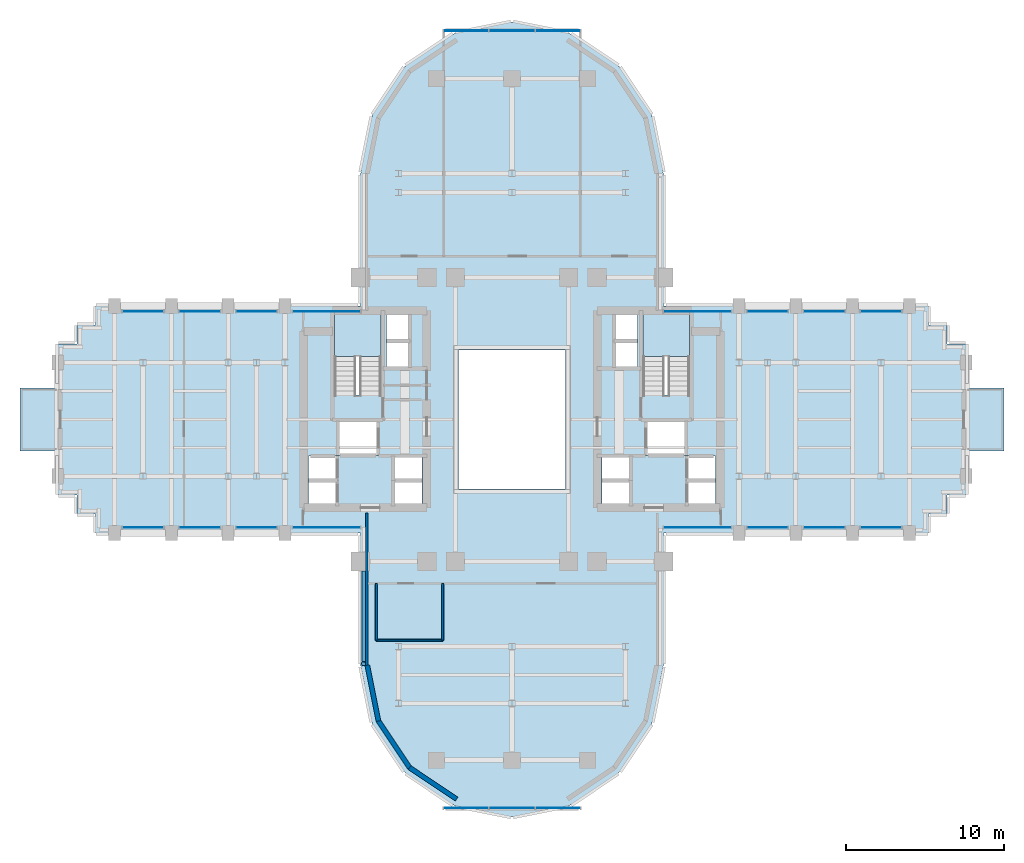
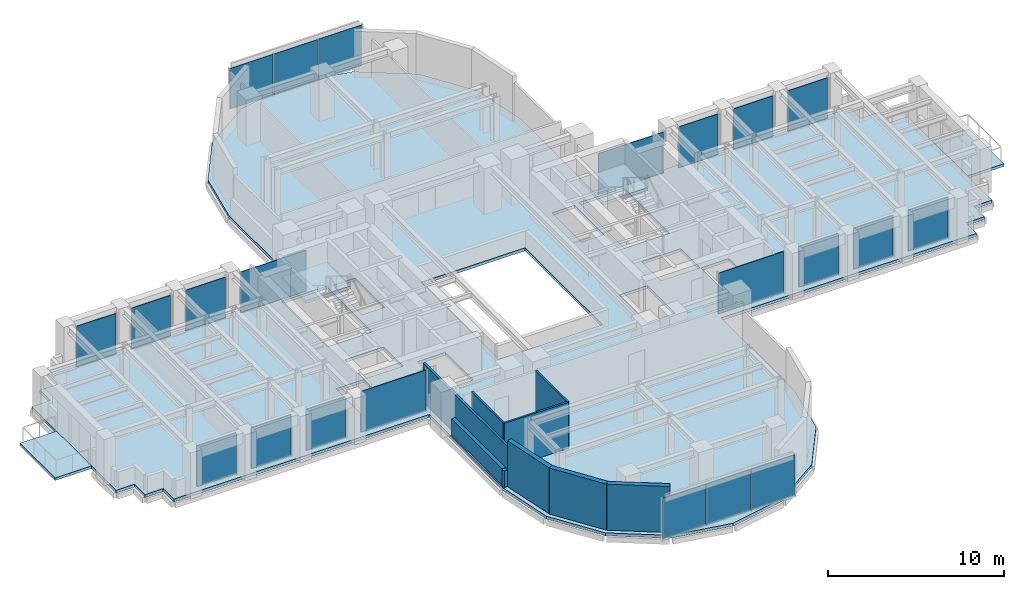
# One storey, part 9 of 15: 22 plates, 9 walls, 5 slabs, 20 elements without a shape of their own.
"""IFC4 building model written with IfcOpenShell, lengths in metres."""

from ifc_helpers import new_model, si_unit, direction, frame, frame_2d, origin, origin_2d, place, context, subcontext, project, spatial, polyline, rectangle, outline, extrude, source, transform, mapped, material, layer, layer_set, type_object, element, aggregate, save


model = new_model("IFC4")

# Units and contexts
model_context = context("Model", 3, precision=1e-05, world=origin(), true_north=direction((0.0, 1.0)))
body_context = subcontext(model_context, "Body", "Model", "MODEL_VIEW")
ifc_project = project(units=[si_unit("LENGTHUNIT", "METRE"), si_unit("AREAUNIT", "SQUARE_METRE"), si_unit("VOLUMEUNIT", "CUBIC_METRE"), si_unit("PLANEANGLEUNIT", "RADIAN"), si_unit("MASSUNIT", "GRAM", prefix="KILO")], contexts=[model_context])

# Site, building, storey
site_placement = place(None, origin())
site = spatial("IfcSite", under=ifc_project, at=site_placement, CompositionType="ELEMENT")
building_placement = place(site_placement, origin())
building = spatial("IfcBuilding", under=site, at=building_placement, Name="Keilestroom Media Tower", CompositionType="ELEMENT")
storey_placement = place(building_placement, frame((0.0, 0.0, 47.60009765625)))
storey = spatial("IfcBuildingStorey", under=building, at=storey_placement, Name="L11", CompositionType="ELEMENT", Elevation=47.60009765625)

# Slabs
ifc_material_1 = material(Name="Concrete C50/60", Category="concrete")
ifc_layer_1 = layer(ifc_material_1, 0.199951171875)
ifc_layer_set_1 = layer_set([ifc_layer_1], Name="Concrete C50/60")
slab_type_1 = type_object("IfcSlabType", Name="Composite-Floor-Slab-200", PredefinedType="FLOOR", material=ifc_layer_set_1)
slab_1_placement = place(storey_placement, frame((0.0, 0.0, -0.2001953125)))
element("IfcSlab", 1, at=slab_1_placement, inside=storey, type_object=slab_type_1, Name="L11 Structural Composite Floor Slab", PredefinedType="FLOOR", context=body_context, shape_type="SweptSolid", body=[
    extrude(outline(polyline([(28.800048828125, -4.800048828125), (28.800048828125, 4.800048828125), (27.60009765625, 4.800048828125), (27.60009765625, 6.0), (26.39990234375, 6.0), (26.39990234375, 7.199951171875), (9.60009765625, 7.199951171875), (9.60009765625, 9.60009765625), (9.60009765625, 15.60009765625), (8.869140625, 19.273681640625), (6.7880859375, 22.38818359375), (3.673828125, 24.46923828125), (0.0, 25.199951171875), (-3.673828125, 24.46923828125), (-6.7880859375, 22.38818359375), (-8.869140625, 19.273681640625), (-9.60009765625, 15.60009765625), (-9.60009765625, 9.60009765625), (-9.60009765625, 7.199951171875), (-26.39990234375, 7.199951171875), (-26.39990234375, 6.0), (-27.60009765625, 6.0), (-27.60009765625, 4.800048828125), (-28.800048828125, 4.800048828125), (-28.800048828125, -4.800048828125), (-27.60009765625, -4.800048828125), (-27.60009765625, -6.0), (-26.39990234375, -6.0), (-26.39990234375, -7.199951171875), (-9.60009765625, -7.199951171875), (-9.60009765625, -9.60009765625), (-9.60009765625, -15.60009765625), (-8.869140625, -19.273681640625), (-6.7880859375, -22.38818359375), (-3.673828125, -24.46923828125), (0.0, -25.199951171875), (3.673828125, -24.46923828125), (6.7880859375, -22.38818359375), (8.869140625, -19.273681640625), (9.60009765625, -15.60009765625), (9.60009765625, -9.60009765625), (9.60009765625, -7.199951171875), (26.39990234375, -7.199951171875), (26.39990234375, -6.0), (27.60009765625, -6.0), (27.60009765625, -4.800048828125), (28.800048828125, -4.800048828125)]), holes=[polyline([(-12.919921875, -5.47998046875), (-12.919921875, -2.320068359375), (-11.080078125, -2.320068359375), (-11.080078125, -5.47998046875), (-12.919921875, -5.47998046875)]), polyline([(-11.260009765625, 1.544921875), (-11.260009765625, 6.760009765625), (-8.300048828125, 6.760009765625), (-8.300048828125, 1.544921875), (-11.260009765625, 1.544921875)]), polyline([(-11.050048828125, -2.280029296875), (-11.050048828125, -0.10009765625), (-8.47998046875, -0.10009765625), (-8.47998046875, -2.280029296875), (-11.050048828125, -2.280029296875)]), polyline([(-7.949951171875, 3.300048828125), (-7.949951171875, 6.64990234375), (-6.47998046875, 6.64990234375), (-6.47998046875, 3.300048828125), (-7.949951171875, 3.300048828125)]), polyline([(-7.56005859375, -5.47998046875), (-7.56005859375, -2.320068359375), (-5.719970703125, -2.320068359375), (-5.719970703125, -5.47998046875), (-7.56005859375, -5.47998046875)]), polyline([(-3.39990234375, -4.39990234375), (-3.39990234375, 4.39990234375), (3.39990234375, 4.39990234375), (3.39990234375, -4.39990234375), (-3.39990234375, -4.39990234375)]), polyline([(5.719970703125, -5.47998046875), (5.719970703125, -2.320068359375), (7.56005859375, -2.320068359375), (7.56005859375, -5.47998046875), (5.719970703125, -5.47998046875)]), polyline([(7.949951171875, 6.64990234375), (7.949951171875, 3.300048828125), (6.47998046875, 3.300048828125), (6.47998046875, 6.64990234375), (7.949951171875, 6.64990234375)]), polyline([(8.300048828125, 6.760009765625), (11.260009765625, 6.760009765625), (11.260009765625, 1.544921875), (8.300048828125, 1.544921875), (8.300048828125, 6.760009765625)]), polyline([(8.47998046875, -2.280029296875), (8.47998046875, -0.10009765625), (11.050048828125, -0.10009765625), (11.050048828125, -2.280029296875), (8.47998046875, -2.280029296875)]), polyline([(12.919921875, -5.47998046875), (11.080078125, -5.47998046875), (11.080078125, -2.320068359375), (12.919921875, -2.320068359375), (12.919921875, -5.47998046875)])]), origin(), (0.0, 0.0, 1.0), 0.2001953125),
])
ifc_material_2 = material(Name="Concrete C45/55", Category="concrete")
ifc_layer_2 = layer(ifc_material_2, 0.179931640625)
ifc_layer_set_2 = layer_set([ifc_layer_2], Name="Concrete C45/55")
slab_type_2 = type_object("IfcSlabType", Name="Exterior-Terrace-And-Sky-Garden-Slab-180", PredefinedType="FLOOR", material=ifc_layer_set_2)
slab_2_placement = place(storey_placement, frame((0.0, 0.0, -0.18017578125)))
element("IfcSlab", 2, at=slab_2_placement, inside=storey, type_object=slab_type_2, Name="L11 Winter-Garden Balcony Slab L11-BAL-W", PredefinedType="FLOOR", context=body_context, shape_type="SweptSolid", body=[
    extrude(outline(polyline([(-31.199951171875, -2.0), (-28.800048828125, -2.0), (-28.800048828125, 2.0), (-31.199951171875, 2.0), (-31.199951171875, -2.0)])), origin(), (0.0, 0.0, 1.0), 0.18017578125),
])
slab_3_placement = place(storey_placement, frame((0.0, 0.0, -0.18017578125)))
element("IfcSlab", 3, at=slab_3_placement, inside=storey, type_object=slab_type_2, Name="L11 Winter-Garden Balcony Slab L11-BAL-E", PredefinedType="FLOOR", context=body_context, shape_type="SweptSolid", body=[
    extrude(outline(polyline([(28.800048828125, -2.0), (31.199951171875, -2.0), (31.199951171875, 2.0), (28.800048828125, 2.0), (28.800048828125, -2.0)])), origin(), (0.0, 0.0, 1.0), 0.18017578125),
])

# Stair, slab
stair_type = type_object("IfcStairType", Name="Enclosed-Dog-Leg-Stair-ST-CORE", PredefinedType="HALF_TURN_STAIR", material=ifc_material_2)
stair_1_placement = place(storey_placement, origin())
stair_1 = element("IfcStair", 4, at=stair_1_placement, inside=storey, type_object=stair_type, Name="L11 West Core Escape Stair ST-1", PredefinedType="HALF_TURN_STAIR")
ifc_layer_3 = layer(ifc_material_2, 0.199951171875)
ifc_layer_set_3 = layer_set([ifc_layer_3], Name="Concrete C45/55")
slab_type_3 = type_object("IfcSlabType", Name="Stair-Intermediate-And-Top-Landing-Slab-200", PredefinedType="LANDING", material=ifc_layer_set_3)
slab_4_placement = place(storey_placement, frame((0.0, 0.0, 1.5)))
slab_4 = element("IfcSlab", 5, at=slab_4_placement, type_object=slab_type_3, Name="ST-1 landing 1", PredefinedType="LANDING", context=body_context, shape_type="SweptSolid", body=[
    extrude(outline(polyline([(-8.300048828125, 3.99609375), (-8.300048828125, 6.760009765625), (-11.260009765625, 6.760009765625), (-11.260009765625, 3.99609375), (-8.300048828125, 3.99609375)])), origin(), (0.0, 0.0, 1.0), 0.199951171875),
])
aggregate(stair_1, [slab_4])

stair_2_placement = place(storey_placement, origin())
stair_2 = element("IfcStair", 6, at=stair_2_placement, inside=storey, type_object=stair_type, Name="L11 East Core Escape Stair ST-2", PredefinedType="HALF_TURN_STAIR")
slab_5_placement = place(storey_placement, frame((0.0, 0.0, 1.5)))
slab_5 = element("IfcSlab", 7, at=slab_5_placement, type_object=slab_type_3, Name="ST-2 landing 1", PredefinedType="LANDING", context=body_context, shape_type="SweptSolid", body=[
    extrude(outline(polyline([(11.260009765625, 3.99609375), (11.260009765625, 6.760009765625), (8.300048828125, 6.760009765625), (8.300048828125, 3.99609375), (11.260009765625, 3.99609375)])), origin(), (0.0, 0.0, 1.0), 0.199951171875),
])
aggregate(stair_2, [slab_5])

# Curtain wall, plate
ifc_material_3 = material(Name="Anodised Aluminium Alloy", Category="aluminium")
curtain_wall_type_1 = type_object("IfcCurtainWallType", Name="Unitised-Curtain-Wall-CW-1", PredefinedType="NOTDEFINED", material=ifc_material_3)
curtain_wall_1_placement = place(storey_placement, origin())
curtain_wall_1 = element("IfcCurtainWall", 8, at=curtain_wall_1_placement, inside=storey, type_object=curtain_wall_type_1, Name="L11 Curtain Wall CW-1 CW-L11-NW-1", PredefinedType="NOTDEFINED")
ifc_material_4 = material(Name="Double Glazed Low-E Unit", Category="glass")
ifc_layer_4 = layer(ifc_material_4, 0.0439453125)
ifc_layer_set_4 = layer_set([ifc_layer_4], Name="Double Glazed Low-E Unit")
plate_type_1 = type_object("IfcPlateType", Name="Insulated-Curtain-Wall-Glazing-Panel-CW-1", PredefinedType="CURTAIN_PANEL", material=ifc_layer_set_4)
shared_shape_1 = source(origin(), body_context, "Body", "SweptSolid", [
    extrude(rectangle(XDim=2.597900390625, YDim=0.0439453125, at=origin_2d()), origin(), (0.0, 0.0, 1.0), 2.833984375),
])
plate_1_placement = place(storey_placement, frame((-23.39990234375, 6.85009765625, 0.072998046875), z_axis=(0.0, 0.0, 1.0), x_axis=(1.0, 0.0, 0.0)))
plate_1 = element("IfcPlate", 9, at=plate_1_placement, type_object=plate_type_1, Name="CW-1 Unitised Glazing 00", PredefinedType="CURTAIN_PANEL", context=body_context, shape_type="MappedRepresentation", body=[
    mapped(shared_shape_1, transform((0.0, 0.0, 0.0), x_axis=(1.0, 0.0, 0.0), y_axis=(0.0, 1.0, 0.0), z_axis=(0.0, 0.0, 1.0), scale=1.0)),
])
aggregate(curtain_wall_1, [plate_1])

curtain_wall_2_placement = place(storey_placement, origin())
curtain_wall_2 = element("IfcCurtainWall", 10, at=curtain_wall_2_placement, inside=storey, type_object=curtain_wall_type_1, Name="L11 Curtain Wall CW-1 CW-L11-NW-2", PredefinedType="NOTDEFINED")
plate_2_placement = place(storey_placement, frame((-19.800048828125, 6.85009765625, 0.072998046875), z_axis=(0.0, 0.0, 1.0), x_axis=(1.0, 0.0, 0.0)))
plate_2 = element("IfcPlate", 11, at=plate_2_placement, type_object=plate_type_1, Name="CW-1 Unitised Glazing 00", PredefinedType="CURTAIN_PANEL", context=body_context, shape_type="MappedRepresentation", body=[
    mapped(shared_shape_1, transform((0.0, 0.0, 0.0), x_axis=(1.0, 0.0, 0.0), y_axis=(0.0, 1.0, 0.0), z_axis=(0.0, 0.0, 1.0), scale=1.0)),
])
aggregate(curtain_wall_2, [plate_2])

curtain_wall_3_placement = place(storey_placement, origin())
curtain_wall_3 = element("IfcCurtainWall", 12, at=curtain_wall_3_placement, inside=storey, type_object=curtain_wall_type_1, Name="L11 Curtain Wall CW-1 CW-L11-NW-3", PredefinedType="NOTDEFINED")
plate_3_placement = place(storey_placement, frame((-16.199951171875, 6.85009765625, 0.072998046875), z_axis=(0.0, 0.0, 1.0), x_axis=(1.0, 0.0, 0.0)))
plate_3 = element("IfcPlate", 13, at=plate_3_placement, type_object=plate_type_1, Name="CW-1 Unitised Glazing 00", PredefinedType="CURTAIN_PANEL", context=body_context, shape_type="MappedRepresentation", body=[
    mapped(shared_shape_1, transform((0.0, 0.0, 0.0), x_axis=(1.0, 0.0, 0.0), y_axis=(0.0, 1.0, 0.0), z_axis=(0.0, 0.0, 1.0), scale=1.0)),
])
aggregate(curtain_wall_3, [plate_3])

curtain_wall_4_placement = place(storey_placement, origin())
curtain_wall_4 = element("IfcCurtainWall", 14, at=curtain_wall_4_placement, inside=storey, type_object=curtain_wall_type_1, Name="L11 Curtain Wall CW-1 CW-L11-NE-2", PredefinedType="NOTDEFINED")
plate_4_placement = place(storey_placement, frame((16.199951171875, 6.85009765625, 0.072998046875), z_axis=(0.0, 0.0, 1.0), x_axis=(1.0, 0.0, 0.0)))
plate_4 = element("IfcPlate", 15, at=plate_4_placement, type_object=plate_type_1, Name="CW-1 Unitised Glazing 00", PredefinedType="CURTAIN_PANEL", context=body_context, shape_type="MappedRepresentation", body=[
    mapped(shared_shape_1, transform((0.0, 0.0, 0.0), x_axis=(1.0, 0.0, 0.0), y_axis=(0.0, 1.0, 0.0), z_axis=(0.0, 0.0, 1.0), scale=1.0)),
])
aggregate(curtain_wall_4, [plate_4])

curtain_wall_5_placement = place(storey_placement, origin())
curtain_wall_5 = element("IfcCurtainWall", 16, at=curtain_wall_5_placement, inside=storey, type_object=curtain_wall_type_1, Name="L11 Curtain Wall CW-1 CW-L11-NE-3", PredefinedType="NOTDEFINED")
plate_5_placement = place(storey_placement, frame((19.800048828125, 6.85009765625, 0.072998046875), z_axis=(0.0, 0.0, 1.0), x_axis=(1.0, 0.0, 0.0)))
plate_5 = element("IfcPlate", 17, at=plate_5_placement, type_object=plate_type_1, Name="CW-1 Unitised Glazing 00", PredefinedType="CURTAIN_PANEL", context=body_context, shape_type="MappedRepresentation", body=[
    mapped(shared_shape_1, transform((0.0, 0.0, 0.0), x_axis=(1.0, 0.0, 0.0), y_axis=(0.0, 1.0, 0.0), z_axis=(0.0, 0.0, 1.0), scale=1.0)),
])
aggregate(curtain_wall_5, [plate_5])

curtain_wall_6_placement = place(storey_placement, origin())
curtain_wall_6 = element("IfcCurtainWall", 18, at=curtain_wall_6_placement, inside=storey, type_object=curtain_wall_type_1, Name="L11 Curtain Wall CW-1 CW-L11-NE-4", PredefinedType="NOTDEFINED")
plate_6_placement = place(storey_placement, frame((23.39990234375, 6.85009765625, 0.072998046875), z_axis=(0.0, 0.0, 1.0), x_axis=(1.0, 0.0, 0.0)))
plate_6 = element("IfcPlate", 19, at=plate_6_placement, type_object=plate_type_1, Name="CW-1 Unitised Glazing 00", PredefinedType="CURTAIN_PANEL", context=body_context, shape_type="MappedRepresentation", body=[
    mapped(shared_shape_1, transform((0.0, 0.0, 0.0), x_axis=(1.0, 0.0, 0.0), y_axis=(0.0, 1.0, 0.0), z_axis=(0.0, 0.0, 1.0), scale=1.0)),
])
aggregate(curtain_wall_6, [plate_6])

curtain_wall_7_placement = place(storey_placement, origin())
curtain_wall_7 = element("IfcCurtainWall", 20, at=curtain_wall_7_placement, inside=storey, type_object=curtain_wall_type_1, Name="L11 Curtain Wall CW-1 CW-L11-SW-1", PredefinedType="NOTDEFINED")
plate_7_placement = place(storey_placement, frame((-23.39990234375, -6.85009765625, 0.072998046875), z_axis=(0.0, 0.0, 1.0), x_axis=(1.0, 0.0, 0.0)))
plate_7 = element("IfcPlate", 21, at=plate_7_placement, type_object=plate_type_1, Name="CW-1 Unitised Glazing 00", PredefinedType="CURTAIN_PANEL", context=body_context, shape_type="MappedRepresentation", body=[
    mapped(shared_shape_1, transform((0.0, 0.0, 0.0), x_axis=(1.0, 0.0, 0.0), y_axis=(0.0, 1.0, 0.0), z_axis=(0.0, 0.0, 1.0), scale=1.0)),
])
aggregate(curtain_wall_7, [plate_7])

curtain_wall_8_placement = place(storey_placement, origin())
curtain_wall_8 = element("IfcCurtainWall", 22, at=curtain_wall_8_placement, inside=storey, type_object=curtain_wall_type_1, Name="L11 Curtain Wall CW-1 CW-L11-SW-2", PredefinedType="NOTDEFINED")
plate_8_placement = place(storey_placement, frame((-19.800048828125, -6.85009765625, 0.072998046875), z_axis=(0.0, 0.0, 1.0), x_axis=(1.0, 0.0, 0.0)))
plate_8 = element("IfcPlate", 23, at=plate_8_placement, type_object=plate_type_1, Name="CW-1 Unitised Glazing 00", PredefinedType="CURTAIN_PANEL", context=body_context, shape_type="MappedRepresentation", body=[
    mapped(shared_shape_1, transform((0.0, 0.0, 0.0), x_axis=(1.0, 0.0, 0.0), y_axis=(0.0, 1.0, 0.0), z_axis=(0.0, 0.0, 1.0), scale=1.0)),
])
aggregate(curtain_wall_8, [plate_8])

curtain_wall_9_placement = place(storey_placement, origin())
curtain_wall_9 = element("IfcCurtainWall", 24, at=curtain_wall_9_placement, inside=storey, type_object=curtain_wall_type_1, Name="L11 Curtain Wall CW-1 CW-L11-SW-3", PredefinedType="NOTDEFINED")
plate_9_placement = place(storey_placement, frame((-16.199951171875, -6.85009765625, 0.072998046875), z_axis=(0.0, 0.0, 1.0), x_axis=(1.0, 0.0, 0.0)))
plate_9 = element("IfcPlate", 25, at=plate_9_placement, type_object=plate_type_1, Name="CW-1 Unitised Glazing 00", PredefinedType="CURTAIN_PANEL", context=body_context, shape_type="MappedRepresentation", body=[
    mapped(shared_shape_1, transform((0.0, 0.0, 0.0), x_axis=(1.0, 0.0, 0.0), y_axis=(0.0, 1.0, 0.0), z_axis=(0.0, 0.0, 1.0), scale=1.0)),
])
aggregate(curtain_wall_9, [plate_9])

curtain_wall_10_placement = place(storey_placement, origin())
curtain_wall_10 = element("IfcCurtainWall", 26, at=curtain_wall_10_placement, inside=storey, type_object=curtain_wall_type_1, Name="L11 Curtain Wall CW-1 CW-L11-SE-2", PredefinedType="NOTDEFINED")
plate_10_placement = place(storey_placement, frame((16.199951171875, -6.85009765625, 0.072998046875), z_axis=(0.0, 0.0, 1.0), x_axis=(1.0, 0.0, 0.0)))
plate_10 = element("IfcPlate", 27, at=plate_10_placement, type_object=plate_type_1, Name="CW-1 Unitised Glazing 00", PredefinedType="CURTAIN_PANEL", context=body_context, shape_type="MappedRepresentation", body=[
    mapped(shared_shape_1, transform((0.0, 0.0, 0.0), x_axis=(1.0, 0.0, 0.0), y_axis=(0.0, 1.0, 0.0), z_axis=(0.0, 0.0, 1.0), scale=1.0)),
])
aggregate(curtain_wall_10, [plate_10])

curtain_wall_11_placement = place(storey_placement, origin())
curtain_wall_11 = element("IfcCurtainWall", 28, at=curtain_wall_11_placement, inside=storey, type_object=curtain_wall_type_1, Name="L11 Curtain Wall CW-1 CW-L11-SE-3", PredefinedType="NOTDEFINED")
plate_11_placement = place(storey_placement, frame((19.800048828125, -6.85009765625, 0.072998046875), z_axis=(0.0, 0.0, 1.0), x_axis=(1.0, 0.0, 0.0)))
plate_11 = element("IfcPlate", 29, at=plate_11_placement, type_object=plate_type_1, Name="CW-1 Unitised Glazing 00", PredefinedType="CURTAIN_PANEL", context=body_context, shape_type="MappedRepresentation", body=[
    mapped(shared_shape_1, transform((0.0, 0.0, 0.0), x_axis=(1.0, 0.0, 0.0), y_axis=(0.0, 1.0, 0.0), z_axis=(0.0, 0.0, 1.0), scale=1.0)),
])
aggregate(curtain_wall_11, [plate_11])

curtain_wall_12_placement = place(storey_placement, origin())
curtain_wall_12 = element("IfcCurtainWall", 30, at=curtain_wall_12_placement, inside=storey, type_object=curtain_wall_type_1, Name="L11 Curtain Wall CW-1 CW-L11-SE-4", PredefinedType="NOTDEFINED")
plate_12_placement = place(storey_placement, frame((23.39990234375, -6.85009765625, 0.072998046875), z_axis=(0.0, 0.0, 1.0), x_axis=(1.0, 0.0, 0.0)))
plate_12 = element("IfcPlate", 31, at=plate_12_placement, type_object=plate_type_1, Name="CW-1 Unitised Glazing 00", PredefinedType="CURTAIN_PANEL", context=body_context, shape_type="MappedRepresentation", body=[
    mapped(shared_shape_1, transform((0.0, 0.0, 0.0), x_axis=(1.0, 0.0, 0.0), y_axis=(0.0, 1.0, 0.0), z_axis=(0.0, 0.0, 1.0), scale=1.0)),
])
aggregate(curtain_wall_12, [plate_12])

curtain_wall_13_placement = place(storey_placement, origin())
curtain_wall_13 = element("IfcCurtainWall", 32, at=curtain_wall_13_placement, inside=storey, type_object=curtain_wall_type_1, Name="L11 Curtain Wall CW-1 CW-L11-NW-4", PredefinedType="NOTDEFINED")
shared_shape_2 = source(origin(), body_context, "Body", "SweptSolid", [
    extrude(rectangle(XDim=4.282958984375, YDim=0.0439453125, at=origin_2d()), origin(), (0.0, 0.0, 1.0), 2.833984375),
])
plate_13_placement = place(storey_placement, frame((-11.757568359375, 6.85009765625, 0.072998046875), z_axis=(0.0, 0.0, 1.0), x_axis=(1.0, 0.0, 0.0)))
plate_13 = element("IfcPlate", 33, at=plate_13_placement, type_object=plate_type_1, Name="CW-1 Unitised Glazing 00", PredefinedType="CURTAIN_PANEL", context=body_context, shape_type="MappedRepresentation", body=[
    mapped(shared_shape_2, transform((0.0, 0.0, 0.0), x_axis=(1.0, 0.0, 0.0), y_axis=(0.0, 1.0, 0.0), z_axis=(0.0, 0.0, 1.0), scale=1.0)),
])
aggregate(curtain_wall_13, [plate_13])

curtain_wall_14_placement = place(storey_placement, origin())
curtain_wall_14 = element("IfcCurtainWall", 34, at=curtain_wall_14_placement, inside=storey, type_object=curtain_wall_type_1, Name="L11 Curtain Wall CW-1 CW-L11-NE-1", PredefinedType="NOTDEFINED")
plate_14_placement = place(storey_placement, frame((11.757568359375, 6.85009765625, 0.072998046875), z_axis=(0.0, 0.0, 1.0), x_axis=(1.0, 0.0, 0.0)))
plate_14 = element("IfcPlate", 35, at=plate_14_placement, type_object=plate_type_1, Name="CW-1 Unitised Glazing 00", PredefinedType="CURTAIN_PANEL", context=body_context, shape_type="MappedRepresentation", body=[
    mapped(shared_shape_2, transform((0.0, 0.0, 0.0), x_axis=(1.0, 0.0, 0.0), y_axis=(0.0, 1.0, 0.0), z_axis=(0.0, 0.0, 1.0), scale=1.0)),
])
aggregate(curtain_wall_14, [plate_14])

curtain_wall_15_placement = place(storey_placement, origin())
curtain_wall_15 = element("IfcCurtainWall", 36, at=curtain_wall_15_placement, inside=storey, type_object=curtain_wall_type_1, Name="L11 Curtain Wall CW-1 CW-L11-SW-4", PredefinedType="NOTDEFINED")
plate_15_placement = place(storey_placement, frame((-11.757568359375, -6.85009765625, 0.072998046875), z_axis=(0.0, 0.0, 1.0), x_axis=(1.0, 0.0, 0.0)))
plate_15 = element("IfcPlate", 37, at=plate_15_placement, type_object=plate_type_1, Name="CW-1 Unitised Glazing 00", PredefinedType="CURTAIN_PANEL", context=body_context, shape_type="MappedRepresentation", body=[
    mapped(shared_shape_2, transform((0.0, 0.0, 0.0), x_axis=(1.0, 0.0, 0.0), y_axis=(0.0, 1.0, 0.0), z_axis=(0.0, 0.0, 1.0), scale=1.0)),
])
aggregate(curtain_wall_15, [plate_15])

curtain_wall_16_placement = place(storey_placement, origin())
curtain_wall_16 = element("IfcCurtainWall", 38, at=curtain_wall_16_placement, inside=storey, type_object=curtain_wall_type_1, Name="L11 Curtain Wall CW-1 CW-L11-SE-1", PredefinedType="NOTDEFINED")
plate_16_placement = place(storey_placement, frame((11.757568359375, -6.85009765625, 0.072998046875), z_axis=(0.0, 0.0, 1.0), x_axis=(1.0, 0.0, 0.0)))
plate_16 = element("IfcPlate", 39, at=plate_16_placement, type_object=plate_type_1, Name="CW-1 Unitised Glazing 00", PredefinedType="CURTAIN_PANEL", context=body_context, shape_type="MappedRepresentation", body=[
    mapped(shared_shape_2, transform((0.0, 0.0, 0.0), x_axis=(1.0, 0.0, 0.0), y_axis=(0.0, 1.0, 0.0), z_axis=(0.0, 0.0, 1.0), scale=1.0)),
])
aggregate(curtain_wall_16, [plate_16])

# Curtain wall, plates
curtain_wall_type_2 = type_object("IfcCurtainWallType", Name="Unitised-Curtain-Wall-CW-6", PredefinedType="NOTDEFINED", material=ifc_material_3)
curtain_wall_17_placement = place(storey_placement, origin())
curtain_wall_17 = element("IfcCurtainWall", 40, at=curtain_wall_17_placement, inside=storey, type_object=curtain_wall_type_2, Name="L11 Curtain Wall CW-6 CW-L11-LN-1", PredefinedType="NOTDEFINED")
ifc_material_5 = material(Name="Curved-Facet Triple Glazed Unit", Category="glass")
ifc_layer_5 = layer(ifc_material_5, 0.033935546875)
ifc_layer_set_5 = layer_set([ifc_layer_5], Name="Curved-Facet Triple Glazed Unit")
plate_type_2 = type_object("IfcPlateType", Name="Insulated-Curtain-Wall-Glazing-Panel-CW-6", PredefinedType="CURTAIN_PANEL", material=ifc_layer_set_5)
shared_shape_3 = source(origin(), body_context, "Body", "SweptSolid", [
    extrude(rectangle(XDim=2.84375, YDim=0.033935546875, at=origin_2d()), origin(), (0.0, 0.0, 1.0), 2.833984375),
])
plate_17_placement = place(storey_placement, frame((-2.9169921875, 24.64990234375, 0.072998046875), z_axis=(0.0, 0.0, 1.0), x_axis=(1.0, 0.0, 0.0)))
plate_17 = element("IfcPlate", 41, at=plate_17_placement, type_object=plate_type_2, Name="CW-6 Unitised Glazing 00", PredefinedType="CURTAIN_PANEL", context=body_context, shape_type="MappedRepresentation", body=[
    mapped(shared_shape_3, transform((0.0, 0.0, 0.0), x_axis=(1.0, 0.0, 0.0), y_axis=(0.0, 1.0, 0.0), z_axis=(0.0, 0.0, 1.0), scale=1.0)),
])
plate_18_placement = place(storey_placement, frame((2.9169921875, 24.64990234375, 0.072998046875), z_axis=(0.0, 0.0, 1.0), x_axis=(1.0, 0.0, 0.0)))
plate_18 = element("IfcPlate", 42, at=plate_18_placement, type_object=plate_type_2, Name="CW-6 Unitised Glazing 02", PredefinedType="CURTAIN_PANEL", context=body_context, shape_type="MappedRepresentation", body=[
    mapped(shared_shape_3, transform((0.0, 0.0, 0.0), x_axis=(1.0, 0.0, 0.0), y_axis=(0.0, 1.0, 0.0), z_axis=(0.0, 0.0, 1.0), scale=1.0)),
])

curtain_wall_18_placement = place(storey_placement, origin())
curtain_wall_18 = element("IfcCurtainWall", 43, at=curtain_wall_18_placement, inside=storey, type_object=curtain_wall_type_2, Name="L11 Curtain Wall CW-6 CW-L11-LS-1", PredefinedType="NOTDEFINED")
plate_19_placement = place(storey_placement, frame((-2.9169921875, -24.64990234375, 0.072998046875), z_axis=(0.0, 0.0, 1.0), x_axis=(1.0, 0.0, 0.0)))
plate_19 = element("IfcPlate", 44, at=plate_19_placement, type_object=plate_type_2, Name="CW-6 Unitised Glazing 00", PredefinedType="CURTAIN_PANEL", context=body_context, shape_type="MappedRepresentation", body=[
    mapped(shared_shape_3, transform((0.0, 0.0, 0.0), x_axis=(1.0, 0.0, 0.0), y_axis=(0.0, 1.0, 0.0), z_axis=(0.0, 0.0, 1.0), scale=1.0)),
])
plate_20_placement = place(storey_placement, frame((2.9169921875, -24.64990234375, 0.072998046875), z_axis=(0.0, 0.0, 1.0), x_axis=(1.0, 0.0, 0.0)))
plate_20 = element("IfcPlate", 45, at=plate_20_placement, type_object=plate_type_2, Name="CW-6 Unitised Glazing 02", PredefinedType="CURTAIN_PANEL", context=body_context, shape_type="MappedRepresentation", body=[
    mapped(shared_shape_3, transform((0.0, 0.0, 0.0), x_axis=(1.0, 0.0, 0.0), y_axis=(0.0, 1.0, 0.0), z_axis=(0.0, 0.0, 1.0), scale=1.0)),
])

# Plate
shared_shape_4 = source(origin(), body_context, "Body", "SweptSolid", [
    extrude(rectangle(XDim=2.876220703125, YDim=0.033935546875, at=origin_2d()), origin(), (0.0, 0.0, 1.0), 2.833984375),
])
plate_21_placement = place(storey_placement, frame((0.0, 24.64990234375, 0.072998046875), z_axis=(0.0, 0.0, 1.0), x_axis=(1.0, 0.0, 0.0)))
plate_21 = element("IfcPlate", 46, at=plate_21_placement, type_object=plate_type_2, Name="CW-6 Unitised Glazing 01", PredefinedType="CURTAIN_PANEL", context=body_context, shape_type="MappedRepresentation", body=[
    mapped(shared_shape_4, transform((0.0, 0.0, 0.0), x_axis=(1.0, 0.0, 0.0), y_axis=(0.0, 1.0, 0.0), z_axis=(0.0, 0.0, 1.0), scale=1.0)),
])

aggregate(curtain_wall_17, [plate_17, plate_21, plate_18])

plate_22_placement = place(storey_placement, frame((0.0, -24.64990234375, 0.072998046875), z_axis=(0.0, 0.0, 1.0), x_axis=(1.0, 0.0, 0.0)))
plate_22 = element("IfcPlate", 47, at=plate_22_placement, type_object=plate_type_2, Name="CW-6 Unitised Glazing 01", PredefinedType="CURTAIN_PANEL", context=body_context, shape_type="MappedRepresentation", body=[
    mapped(shared_shape_4, transform((0.0, 0.0, 0.0), x_axis=(1.0, 0.0, 0.0), y_axis=(0.0, 1.0, 0.0), z_axis=(0.0, 0.0, 1.0), scale=1.0)),
])

aggregate(curtain_wall_18, [plate_19, plate_22, plate_20])

# Walls
ifc_material_6 = material(Name="Precast concrete C40/50", Category="concrete")
ifc_layer_6 = layer(ifc_material_6, 0.300048828125)
ifc_layer_set_6 = layer_set([ifc_layer_6], Name="Precast concrete C40/50")
wall_type_1 = type_object("IfcWallType", Name="Exterior-Masonry-Spandrel-Wall-300", PredefinedType="SOLIDWALL", material=ifc_layer_set_6)
for number, where, z_axis, x_axis, name in (
    (48, (-9.1748046875, -15.585205078125, 0.0), (0.0, 0.0, 1.0), (0.195114232679, -0.980780523974, 0.0), "L11 Lobe Facet Precast Frame Wall 07"),
    (49, (-8.48193359375, -19.097412109375, 0.0), (0.0, 0.0, 1.0), (0.555574187116, -0.831466970246, 0.0), "L11 Lobe Facet Precast Frame Wall 08"),
):
    element("IfcWall", number, at=place(storey_placement, frame(where, z_axis=z_axis, x_axis=x_axis)), inside=storey, type_object=wall_type_1, Name=name, PredefinedType="SOLIDWALL", context=body_context, shape_type="SweptSolid", body=[
        extrude(rectangle(XDim=3.608642578125, YDim=0.300048828125, at=frame_2d((1.80419921875, 0.0))), origin(), (0.0, 0.0, 1.0), 3.199951171875),
    ])
wall_1_placement = place(storey_placement, frame((-6.497802734375, -22.0771484375, 0.0), z_axis=(0.0, 0.0, 1.0), x_axis=(0.8314749531, -0.555562239868, 0.0)))
element("IfcWall", 50, at=wall_1_placement, inside=storey, type_object=wall_type_1, Name="L11 Lobe Facet Precast Frame Wall 09", PredefinedType="SOLIDWALL", context=body_context, shape_type="SweptSolid", body=[
    extrude(rectangle(XDim=3.59326171875, YDim=0.300048828125, at=frame_2d((1.796630859375, 0.0))), origin(), (0.0, 0.0, 1.0), 3.199951171875),
])
ifc_material_7 = material(Name="Gypsum Plasterboard & Steel Stud", Category="steel")
ifc_layer_7 = layer(ifc_material_7, 0.1201171875)
ifc_layer_set_7 = layer_set([ifc_layer_7], Name="Gypsum Plasterboard & Steel Stud")
wall_type_2 = type_object("IfcWallType", Name="Interior-Partition-Wall-120", PredefinedType="PARTITIONING", material=ifc_layer_set_7)
wall_2_placement = place(storey_placement, frame((-8.60009765625, -14.0, 0.0), z_axis=(0.0, 0.0, 1.0), x_axis=(1.0, 0.0, 0.0)))
element("IfcWall", 51, at=wall_2_placement, inside=storey, type_object=wall_type_2, Name="L11 Interior Wall WP-L11-SL-WC4-S", PredefinedType="PARTITIONING", context=body_context, shape_type="SweptSolid", body=[
    extrude(rectangle(XDim=4.2001953125, YDim=0.1201171875, at=frame_2d((2.10009765625, 0.0))), origin(), (0.0, 0.0, 1.0), 3.199951171875),
])
for number, where, z_axis, x_axis, name in (
    (52, (-8.60009765625, -14.0, 0.0), (0.0, 0.0, 1.0), (0.0, 1.0, 0.0), "L11 Interior Wall WP-L11-SL-WC4-W"),
    (53, (-4.39990234375, -14.0, 0.0), (0.0, 0.0, 1.0), (0.0, 1.0, 0.0), "L11 Interior Wall WP-L11-SL-WC4-E"),
):
    element("IfcWall", number, at=place(storey_placement, frame(where, z_axis=z_axis, x_axis=x_axis)), inside=storey, type_object=wall_type_2, Name=name, PredefinedType="PARTITIONING", context=body_context, shape_type="SweptSolid", body=[
        extrude(rectangle(XDim=3.60009765625, YDim=0.1201171875, at=frame_2d((1.800048828125, 0.0))), origin(), (0.0, 0.0, 1.0), 3.199951171875),
    ])
ifc_layer_8 = layer(ifc_material_7, 0.14990234375)
ifc_layer_set_8 = layer_set([ifc_layer_8], Name="Gypsum Plasterboard & Steel Stud")
wall_type_3 = type_object("IfcWallType", Name="Interior-Partition-Wall-150", PredefinedType="PARTITIONING", material=ifc_layer_set_8)
wall_3_placement = place(storey_placement, frame((-9.199951171875, -15.679931640625, 0.0), z_axis=(0.0, 0.0, 1.0), x_axis=(0.0, 1.0, 0.0)))
element("IfcWall", 54, at=wall_3_placement, inside=storey, type_object=wall_type_3, Name="L11 Interior Wall WP-L11-SL-CHKW", PredefinedType="PARTITIONING", context=body_context, shape_type="SweptSolid", body=[
    extrude(rectangle(XDim=9.739990234375, YDim=0.14990234375, at=frame_2d((4.8701171875, 0.0))), origin(), (0.0, 0.0, 1.0), 2.7099609375),
])
ifc_layer_9 = layer(ifc_material_6, 0.239990234375)
ifc_layer_set_9 = layer_set([ifc_layer_9], Name="Precast concrete C40/50")
wall_type_4 = type_object("IfcWallType", Name="Roof-And-Terrace-Parapet-Wall-240", PredefinedType="PARAPET", material=ifc_layer_set_9)
wall_4_placement = place(storey_placement, frame((-9.395263671875, -15.604248046875, 0.0), z_axis=(0.0, 0.0, 1.0), x_axis=(-0.194652052864, 0.980872355771, 0.0)))
element("IfcWall", 55, at=wall_4_placement, inside=storey, type_object=wall_type_4, Name="L11 Perimeter Edge Parapet Wall 09", PredefinedType="PARAPET", context=body_context, shape_type="SweptSolid", body=[
    extrude(rectangle(XDim=0.224609375, YDim=0.239990234375, at=frame_2d((0.1123046875, 0.0))), origin(), (0.0, 0.0, 1.0), 1.14990234375),
])
wall_5_placement = place(storey_placement, frame((-9.39990234375, -15.357666015625, 0.0), z_axis=(0.0, 0.0, 1.0), x_axis=(0.0, 1.0, 0.0)))
element("IfcWall", 56, at=wall_5_placement, inside=storey, type_object=wall_type_4, Name="L11 Perimeter Edge Parapet Wall 10", PredefinedType="PARAPET", context=body_context, shape_type="SweptSolid", body=[
    extrude(rectangle(XDim=5.754638671875, YDim=0.239990234375, at=frame_2d((2.87744140625, 0.0))), origin(), (0.0, 0.0, 1.0), 1.14990234375),
])

save(model, "model.ifc")
